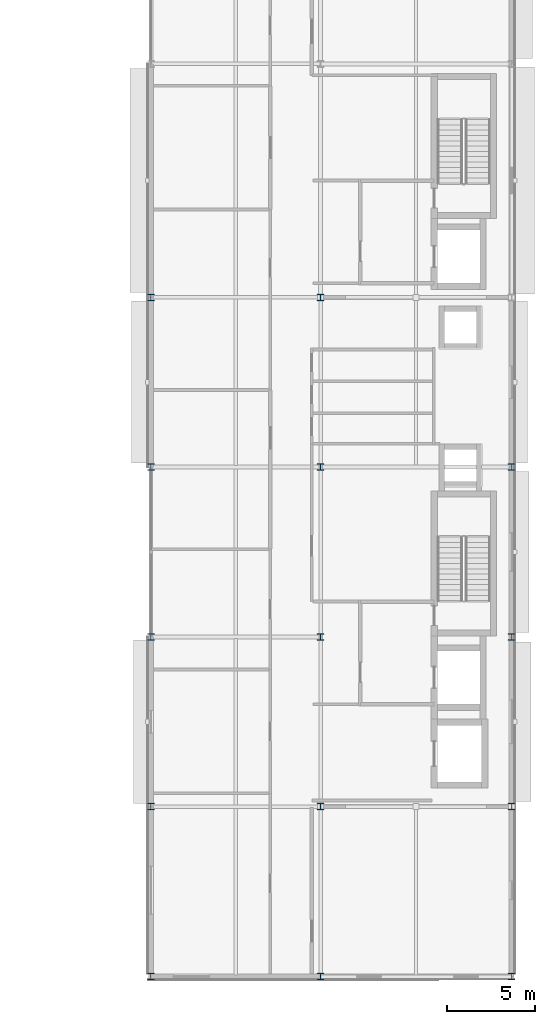
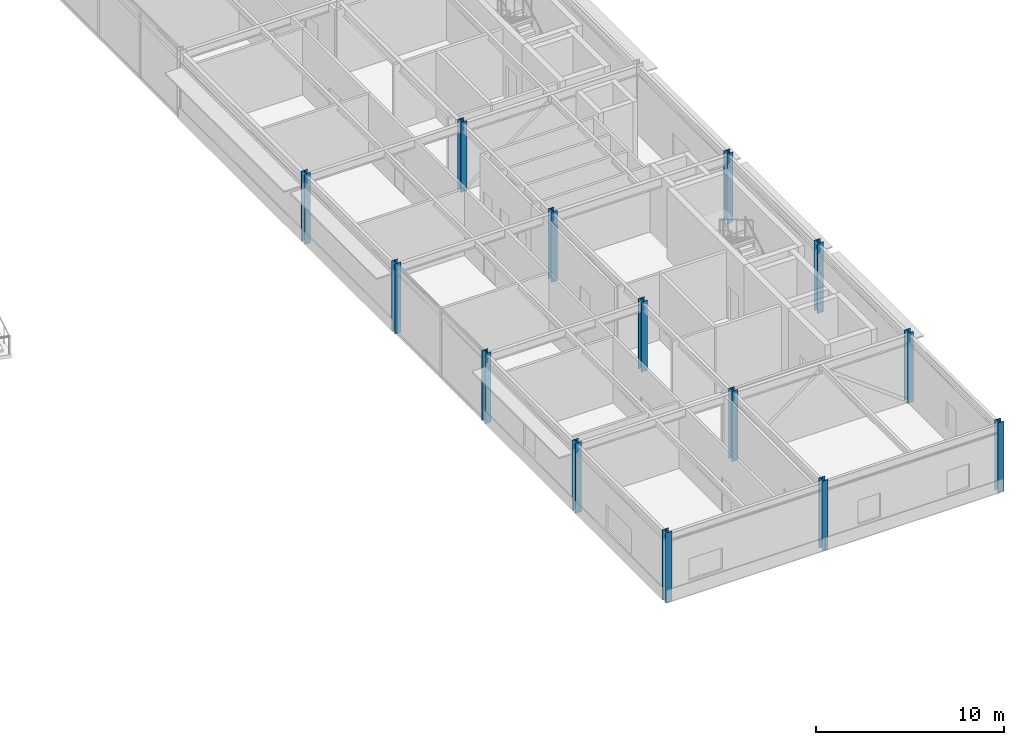
# One storey, part 11 of 89: 14 columns.
"""IFC4 building model written with IfcOpenShell, lengths in metres."""

from ifc_helpers import new_model, si_unit, direction, frame, origin, origin_2d, place, context, subcontext, project, spatial, i_section, extrude, material, material_profile, profile_set, type_object, element, save


model = new_model("IFC4")

# Units and contexts
model_context = context("Model", 3, precision=1e-05, world=origin(), true_north=direction((0.0, 1.0)))
body_context = subcontext(model_context, "Body", "Model", "MODEL_VIEW")
ifc_project = project(units=[si_unit("LENGTHUNIT", "METRE"), si_unit("AREAUNIT", "SQUARE_METRE"), si_unit("VOLUMEUNIT", "CUBIC_METRE"), si_unit("PLANEANGLEUNIT", "RADIAN"), si_unit("MASSUNIT", "GRAM", prefix="KILO")], contexts=[model_context])

# Site, building, storey
site_placement = place(None, origin())
site = spatial("IfcSite", under=ifc_project, at=site_placement, CompositionType="ELEMENT")
building_placement = place(site_placement, origin())
building = spatial("IfcBuilding", under=site, at=building_placement, Name="Almandine Court Research Institute", CompositionType="ELEMENT")
storey_placement = place(building_placement, frame((0.0, 0.0, 18.89990234375)))
storey = spatial("IfcBuildingStorey", under=building, at=storey_placement, Name="L04", CompositionType="ELEMENT", Elevation=18.89990234375)

# Columns
ifc_material = material(Name="Steel ASTM A992 Grade 50", Category="steel")
ifc_material_profile_1 = material_profile(ifc_material, i_section(OverallWidth=0.373046875, OverallDepth=0.367919921875, WebThickness=0.01708984375, FlangeThickness=0.027099609375, at=origin_2d()), Name="W360x179")
ifc_profile_set_1 = profile_set([ifc_material_profile_1], Name="Steel ASTM A992 Grade 50")
column_type_1 = type_object("IfcColumnType", Name="Col-C-W03", PredefinedType="COLUMN", material=ifc_profile_set_1)
for number, where, z_axis, x_axis, name in (
    (1, (153.60009765625, 15.60009765625, 0.0), (0.0, 0.0, 1.0), (1.0, 0.0, 0.0), "L04 V4 Column V4-X2Y2"),
    (2, (153.60009765625, 25.199951171875, 0.0), (0.0, 0.0, 1.0), (1.0, 0.0, 0.0), "L04 V4 Column V4-X2Y3"),
    (3, (153.60009765625, 34.800048828125, 0.0), (0.0, 0.0, 1.0), (1.0, 0.0, 0.0), "L04 V4 Column V4-X2Y4"),
    (4, (153.60009765625, 44.39990234375, 0.0), (0.0, 0.0, 1.0), (1.0, 0.0, 0.0), "L04 V4 Column V4-X2Y5"),
    (5, (163.199951171875, 15.60009765625, 0.0), (0.0, 0.0, 1.0), (1.0, 0.0, 0.0), "L04 V4 Column V4-X3Y2"),
    (6, (163.199951171875, 25.199951171875, 0.0), (0.0, 0.0, 1.0), (1.0, 0.0, 0.0), "L04 V4 Column V4-X3Y3"),
    (7, (163.199951171875, 34.800048828125, 0.0), (0.0, 0.0, 1.0), (1.0, 0.0, 0.0), "L04 V4 Column V4-X3Y4"),
    (8, (163.199951171875, 44.39990234375, 0.0), (0.0, 0.0, 1.0), (1.0, 0.0, 0.0), "L04 V4 Column V4-X3Y5"),
):
    element("IfcColumn", number, at=place(storey_placement, frame(where, z_axis=z_axis, x_axis=x_axis)), inside=storey, type_object=column_type_1, Name=name, PredefinedType="COLUMN", context=body_context, shape_type="SweptSolid", body=[
        extrude(i_section(OverallWidth=0.373046875, OverallDepth=0.367919921875, WebThickness=0.01708984375, FlangeThickness=0.027099609375, at=origin_2d()), origin(), (0.0, 0.0, 1.0), 4.550048828125),
    ])
ifc_material_profile_2 = material_profile(ifc_material, i_section(OverallWidth=0.373046875, OverallDepth=0.367919921875, WebThickness=0.01708984375, FlangeThickness=0.027099609375, at=origin_2d()), Name="W360x179")
ifc_profile_set_2 = profile_set([ifc_material_profile_2], Name="Steel ASTM A992 Grade 50")
column_type_2 = type_object("IfcColumnType", Name="Col-C-W03-E", PredefinedType="COLUMN", material=ifc_profile_set_2)
for number, where, z_axis, x_axis, name in (
    (9, (153.60009765625, 6.0, 0.0), (0.0, 0.0, 1.0), (1.0, 0.0, 0.0), "L04 V4 Column V4-X2Y1"),
    (10, (163.199951171875, 6.0, 0.0), (0.0, 0.0, 1.0), (1.0, 0.0, 0.0), "L04 V4 Column V4-X3Y1"),
    (11, (174.0, 6.0, 0.0), (0.0, 0.0, 1.0), (1.0, 0.0, 0.0), "L04 V4 Column V4-X4Y1"),
    (12, (174.0, 15.60009765625, 0.0), (0.0, 0.0, 1.0), (1.0, 0.0, 0.0), "L04 V4 Column V4-X4Y2"),
    (13, (174.0, 25.199951171875, 0.0), (0.0, 0.0, 1.0), (1.0, 0.0, 0.0), "L04 V4 Column V4-X4Y3"),
    (14, (174.0, 34.800048828125, 0.0), (0.0, 0.0, 1.0), (1.0, 0.0, 0.0), "L04 V4 Column V4-X4Y4"),
):
    element("IfcColumn", number, at=place(storey_placement, frame(where, z_axis=z_axis, x_axis=x_axis)), inside=storey, type_object=column_type_2, Name=name, PredefinedType="COLUMN", context=body_context, shape_type="SweptSolid", body=[
        extrude(i_section(OverallWidth=0.373046875, OverallDepth=0.367919921875, WebThickness=0.01708984375, FlangeThickness=0.027099609375, at=origin_2d()), origin(), (0.0, 0.0, 1.0), 4.550048828125),
    ])

save(model, "model.ifc")
